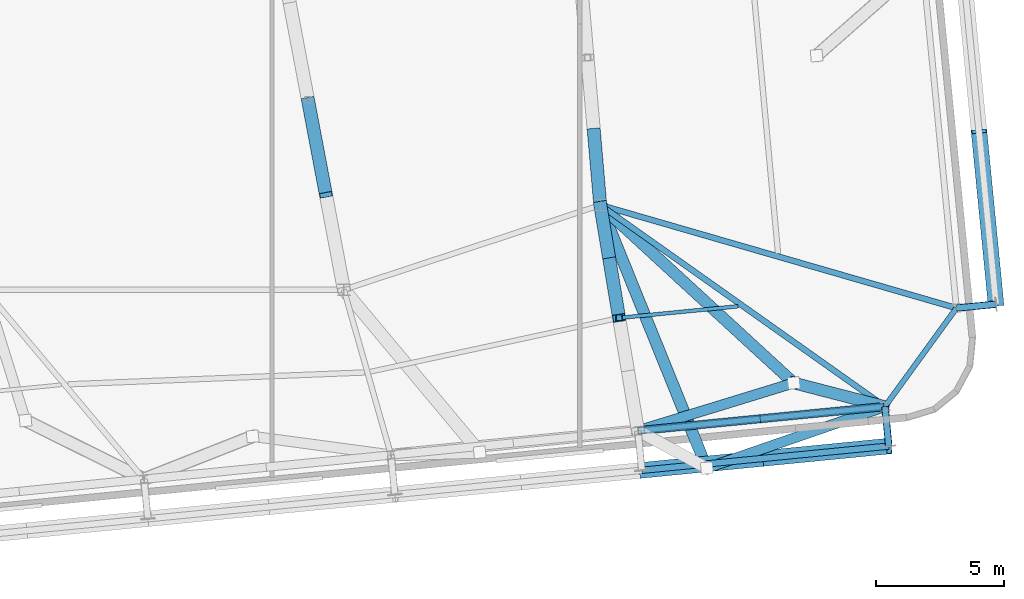
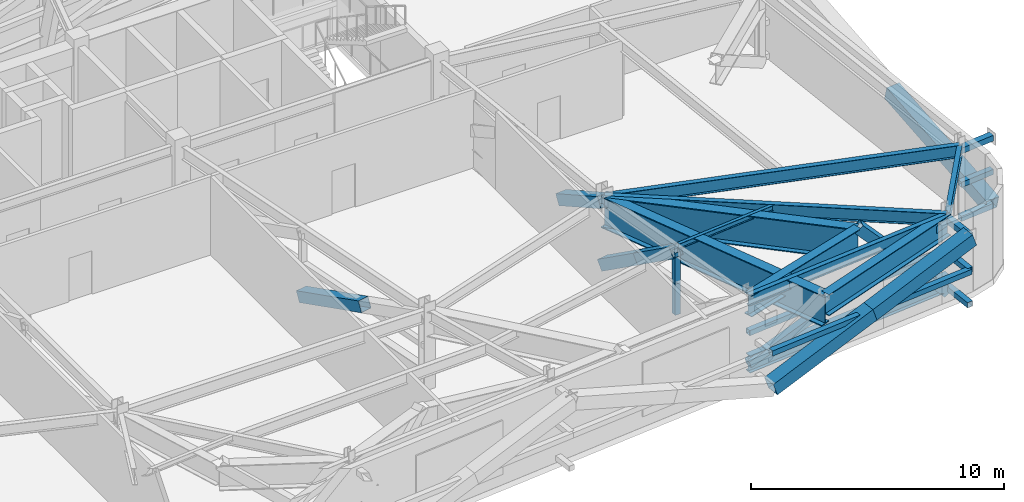
# One storey, part 9 of 24: 21 members, 9 beams.
"""IFC4 building model written with IfcOpenShell, lengths in metres."""

from ifc_helpers import new_model, si_unit, direction, frame, origin, origin_2d, place, context, subcontext, project, spatial, hollow_rectangle, i_section, extrude, source, transform, mapped, material, material_profile, profile_set, type_object, element, save


model = new_model("IFC4")

# Units and contexts
model_context = context("Model", 3, precision=1e-05, world=origin(), true_north=direction((0.0, 1.0)))
body_context = subcontext(model_context, "Body", "Model", "MODEL_VIEW")
ifc_project = project(units=[si_unit("LENGTHUNIT", "METRE"), si_unit("AREAUNIT", "SQUARE_METRE"), si_unit("VOLUMEUNIT", "CUBIC_METRE"), si_unit("PLANEANGLEUNIT", "RADIAN"), si_unit("MASSUNIT", "GRAM", prefix="KILO")], contexts=[model_context])

# Site, building, storey
site_placement = place(None, origin())
site = spatial("IfcSite", under=ifc_project, at=site_placement, CompositionType="ELEMENT")
building_placement = place(site_placement, origin())
building = spatial("IfcBuilding", under=site, at=building_placement, Name="Taldren Reach Tower", CompositionType="ELEMENT")
storey_placement = place(building_placement, frame((0.0, 0.0, 112.35009765625)))
storey = spatial("IfcBuildingStorey", under=building, at=storey_placement, Name="L34", CompositionType="ELEMENT", Elevation=112.35009765625)

# Beam
ifc_material_1 = material(Name="Steel Gr 350 (350PLUS)", Category="steel")
ifc_material_profile_1 = material_profile(ifc_material_1, i_section(OverallWidth=0.208984375, OverallDepth=0.528076171875, WebThickness=0.009521484375, FlangeThickness=0.01318359375, at=origin_2d()), Name="530UB82.0")
ifc_profile_set_1 = profile_set([ifc_material_profile_1], Name="Steel Gr 350 (350PLUS)")
beam_type_1 = type_object("IfcBeamType", Name="SP-UB530B", PredefinedType="SPANDREL", material=ifc_profile_set_1)
shared_shape_1 = source(origin(), body_context, "Body", "SweptSolid", [
    extrude(i_section(OverallWidth=0.208984375, OverallDepth=0.528076171875, WebThickness=0.009521484375, FlangeThickness=0.01318359375, at=origin_2d()), origin(), (0.0, 0.0, 1.0), 4.74609375),
])
beam_1_placement = place(storey_placement, frame((63.103271484375, 4.64306640625, 3.515869140625), z_axis=(0.58750777154, 0.809218523255, 0.0), x_axis=(-0.809218523255, 0.58750777154, 0.0)))
element("IfcBeam", 1, at=beam_1_placement, inside=storey, type_object=beam_type_1, Name="Perimeter spandrel B2 S6-E1 L34", PredefinedType="SPANDREL", context=body_context, shape_type="MappedRepresentation", body=[
    mapped(shared_shape_1, transform((0.0, 0.0, 0.0), scale=1.0)),
])

# Members
ifc_material_2 = material(Name="Steel Gr 450 (C450L0)", Category="steel")
ifc_material_profile_2 = material_profile(ifc_material_2, hollow_rectangle(XDim=0.27490234375, YDim=0.27490234375, WallThickness=0.00927734375, at=origin_2d()), Name="275x275x9.3SHS")
ifc_profile_set_2 = profile_set([ifc_material_profile_2], Name="Steel Gr 450 (C450L0)")
member_type_1 = type_object("IfcMemberType", Name="MB-TIE273", PredefinedType="STRUT", material=ifc_profile_set_2)
shared_shape_2 = source(origin(), body_context, "Body", "SweptSolid", [
    extrude(hollow_rectangle(XDim=0.27490234375, YDim=0.27490234375, WallThickness=0.00927734375, at=origin_2d()), origin(), (0.0, 0.0, 1.0), 1.5498046875),
])
member_1_placement = place(storey_placement, frame((63.103271484375, 4.64306640625, 3.5), z_axis=(0.097507178627, -0.995234821595, 0.0), x_axis=(0.995234821595, 0.097507178627, 0.0)))
element("IfcMember", 2, at=member_1_placement, inside=storey, type_object=member_type_1, Name="Exoskeleton diaphragm tie strut B2-S6 L34", PredefinedType="STRUT", context=body_context, shape_type="MappedRepresentation", body=[
    mapped(shared_shape_2, transform((0.0, 0.0, 0.0), scale=1.0)),
])
ifc_material_3 = material(Name="Steel Gr 350 (C350L0)", Category="steel")
ifc_material_profile_3 = material_profile(ifc_material_3, hollow_rectangle(XDim=0.25, YDim=0.25, WallThickness=0.010009765625, at=origin_2d()), Name="250x250x10.0SHS")
ifc_profile_set_3 = profile_set([ifc_material_profile_3], Name="Steel Gr 350 (C350L0)")
member_type_2 = type_object("IfcMemberType", Name="MB-POST250", PredefinedType="POST", material=ifc_profile_set_3)
shared_shape_3 = source(origin(), body_context, "Body", "SweptSolid", [
    extrude(hollow_rectangle(XDim=0.25, YDim=0.25, WallThickness=0.010009765625, at=origin_2d()), origin(), (0.0, 0.0, 1.0), 1.5498046875),
])
for number, where, z_axis, x_axis, name in (
    (3, (63.103271484375, 4.64306640625, 0.219970703125), (0.097507178627, -0.995234821595, 0.0), (0.995234821595, 0.097507178627, 0.0), "Exoskeleton base diaphragm tie strut B2-S6 L34"),
    (4, (63.103271484375, 4.64306640625, 1.85986328125), (0.097507178627, -0.995234821595, 0.0), (0.995234821595, 0.097507178627, 0.0), "Exoskeleton mid-tier diaphragm tie B2-S6 L34"),
):
    element("IfcMember", number, at=place(storey_placement, frame(where, z_axis=z_axis, x_axis=x_axis)), inside=storey, type_object=member_type_2, Name=name, PredefinedType="POST", context=body_context, shape_type="MappedRepresentation", body=[
        mapped(shared_shape_3, transform((0.0, 0.0, 0.0), scale=1.0)),
    ])
shared_shape_4 = source(origin(), body_context, "Body", "SweptSolid", [
    extrude(hollow_rectangle(XDim=0.25, YDim=0.25, WallThickness=0.010009765625, at=origin_2d()), origin(), (0.0, 0.0, 1.0), 1.5048828125),
])
member_2_placement = place(storey_placement, frame((52.734619140625, 8.099365234375, 0.449951171875), z_axis=(0.0, 0.0, 1.0), x_axis=(1.0, 0.0, 0.0)))
element("IfcMember", 5, at=member_2_placement, inside=storey, type_object=member_type_2, Name="Outrigger Transfer Truss Vertical Post OT-E2 L34", PredefinedType="POST", context=body_context, shape_type="MappedRepresentation", body=[
    mapped(shared_shape_4, transform((0.0, 0.0, 0.0), scale=1.0)),
])
shared_shape_5 = source(origin(), body_context, "Body", "SweptSolid", [
    extrude(hollow_rectangle(XDim=0.25, YDim=0.25, WallThickness=0.010009765625, at=origin_2d()), origin(), (0.0, 0.0, 1.0), 1.505126953125),
])
member_3_placement = place(storey_placement, frame((52.734619140625, 8.099365234375, 1.954833984375), z_axis=(0.0, 0.0, 1.0), x_axis=(1.0, 0.0, 0.0)))
element("IfcMember", 6, at=member_3_placement, inside=storey, type_object=member_type_2, Name="Outrigger Transfer Truss Vertical Post OT-E2 L34", PredefinedType="POST", context=body_context, shape_type="MappedRepresentation", body=[
    mapped(shared_shape_5, transform((0.0, 0.0, 0.0), scale=1.0)),
])
ifc_material_profile_4 = material_profile(ifc_material_2, hollow_rectangle(XDim=0.510009765625, YDim=0.510009765625, WallThickness=0.02001953125, at=origin_2d()), Name="510x510x20.0SHS")
ifc_profile_set_4 = profile_set([ifc_material_profile_4], Name="Steel Gr 450 (C450L0)")
member_type_3 = type_object("IfcMemberType", Name="MB-EXO508", PredefinedType="BRACE", material=ifc_profile_set_4)
shared_shape_6 = source(origin(), body_context, "Body", "SweptSolid", [
    extrude(hollow_rectangle(XDim=0.510009765625, YDim=0.510009765625, WallThickness=0.02001953125, at=origin_2d()), origin(), (0.0, 0.0, 1.0), 3.2548828125),
])
member_4_placement = place(storey_placement, frame((51.75, 15.375, 1.954833984375), z_axis=(0.076810327051, -0.883318761082, 0.462437174089), x_axis=(0.996240588196, 0.086629616365, 0.0)))
element("IfcMember", 7, at=member_4_placement, inside=storey, type_object=member_type_3, Name="Outrigger Transfer Truss Diagonal OT-E1B L34", PredefinedType="BRACE", context=body_context, shape_type="MappedRepresentation", body=[
    mapped(shared_shape_6, transform((0.0, 0.0, 0.0), scale=1.0)),
])
shared_shape_7 = source(origin(), body_context, "Body", "SweptSolid", [
    extrude(hollow_rectangle(XDim=0.510009765625, YDim=0.510009765625, WallThickness=0.02001953125, at=origin_2d()), origin(), (0.0, 0.0, 1.0), 4.055419921875),
])
member_5_placement = place(storey_placement, frame((40.60009765625, 16.60009765625, 0.449951171875), z_axis=(0.172598473912, -0.912418022537, 0.371083708823), x_axis=(0.982574405956, 0.185869676819, 0.0)))
element("IfcMember", 8, at=member_5_placement, inside=storey, type_object=member_type_3, Name="Outrigger Transfer Truss Diagonal OT-M2B L34", PredefinedType="BRACE", context=body_context, shape_type="MappedRepresentation", body=[
    mapped(shared_shape_7, transform((0.0, 0.0, 0.0), scale=1.0)),
])

# Beams
shared_shape_8 = source(origin(), body_context, "Body", "SweptSolid", [
    extrude(i_section(OverallWidth=0.208984375, OverallDepth=0.528076171875, WebThickness=0.009521484375, FlangeThickness=0.01318359375, at=origin_2d()), origin(), (0.0, 0.0, 1.0), 9.679931640625),
])
beam_2_placement = place(storey_placement, frame((53.469482421875, 3.698486328125, 3.515869140625), z_axis=(0.995227612658, 0.097580730699, 0.0), x_axis=(-0.097580730699, 0.995227612658, 0.0)))
element("IfcBeam", 9, at=beam_2_placement, inside=storey, type_object=beam_type_1, Name="Perimeter spandrel B2 S5-S6 L34", PredefinedType="SPANDREL", context=body_context, shape_type="MappedRepresentation", body=[
    mapped(shared_shape_8, transform((0.0, 0.0, 0.0), scale=1.0)),
])
ifc_material_profile_5 = material_profile(ifc_material_1, i_section(OverallWidth=0.22802734375, OverallDepth=0.60205078125, WebThickness=0.010498046875, FlangeThickness=0.014892578125, at=origin_2d()), Name="610UB101")
ifc_profile_set_5 = profile_set([ifc_material_profile_5], Name="Steel Gr 350 (350PLUS)")
beam_type_2 = type_object("IfcBeamType", Name="BM-UB610B", PredefinedType="BEAM", material=ifc_profile_set_5)
shared_shape_9 = source(origin(), body_context, "Body", "SweptSolid", [
    extrude(i_section(OverallWidth=0.22802734375, OverallDepth=0.60205078125, WebThickness=0.010498046875, FlangeThickness=0.014892578125, at=origin_2d()), origin(), (0.0, 0.0, 1.0), 13.60205078125),
])
beam_3_placement = place(storey_placement, frame((52.0, 12.5, 3.47900390625), z_axis=(0.816297773281, -0.577631323022, 0.0), x_axis=(0.577631323022, 0.816297773281, 0.0)))
element("IfcBeam", 10, at=beam_3_placement, inside=storey, type_object=beam_type_2, Name="Primary floor girder B2-S6 L34", PredefinedType="BEAM", context=body_context, shape_type="MappedRepresentation", body=[
    mapped(shared_shape_9, transform((0.0, 0.0, 0.0), scale=1.0)),
])
shared_shape_10 = source(origin(), body_context, "Body", "SweptSolid", [
    extrude(i_section(OverallWidth=0.22802734375, OverallDepth=0.60205078125, WebThickness=0.010498046875, FlangeThickness=0.014892578125, at=origin_2d()), origin(), (0.0, 0.0, 1.0), 14.46044921875),
])
beam_4_placement = place(storey_placement, frame((52.0, 12.5, 3.47900390625), z_axis=(0.960654638583, -0.277745684698, 0.0), x_axis=(0.277745684698, 0.960654638583, 0.0)))
element("IfcBeam", 11, at=beam_4_placement, inside=storey, type_object=beam_type_2, Name="Primary floor girder B2-E1 L34", PredefinedType="BEAM", context=body_context, shape_type="MappedRepresentation", body=[
    mapped(shared_shape_10, transform((0.0, 0.0, 0.0), scale=1.0)),
])
ifc_material_4 = material(Name="Steel Gr 300 (300PLUS, 300 MPa)", Category="steel")
ifc_material_profile_6 = material_profile(ifc_material_4, i_section(OverallWidth=0.14599609375, OverallDepth=0.256103515625, WebThickness=0.00634765625, FlangeThickness=0.010986328125, at=origin_2d()), Name="250UB37.3")
ifc_profile_set_6 = profile_set([ifc_material_profile_6], Name="Steel Gr 300 (300PLUS, 300 MPa)")
beam_type_3 = type_object("IfcBeamType", Name="JS-UB250", PredefinedType="JOIST", material=ifc_profile_set_6)
shared_shape_11 = source(origin(), body_context, "Body", "SweptSolid", [
    extrude(i_section(OverallWidth=0.14599609375, OverallDepth=0.256103515625, WebThickness=0.00634765625, FlangeThickness=0.010986328125, at=origin_2d()), origin(), (0.0, 0.0, 1.0), 4.56103515625),
])
beam_5_placement = place(storey_placement, frame((52.8388671875, 8.109375, 3.65185546875), z_axis=(0.995227709746, 0.097579740487, 0.0), x_axis=(-0.097579740487, 0.995227709746, 0.0)))
element("IfcBeam", 12, at=beam_5_placement, inside=storey, type_object=beam_type_3, Name="Secondary floor joist B2 J5 L34", PredefinedType="JOIST", context=body_context, shape_type="MappedRepresentation", body=[
    mapped(shared_shape_11, transform((0.0, 0.0, 0.0), scale=1.0)),
])

# Members
shared_shape_12 = source(origin(), body_context, "Body", "SweptSolid", [
    extrude(hollow_rectangle(XDim=0.27490234375, YDim=0.27490234375, WallThickness=0.00927734375, at=origin_2d()), origin(), (0.0, 0.0, 1.0), 1.550048828125),
])
member_6_placement = place(storey_placement, frame((65.8916015625, 8.483642578125, 3.5), z_axis=(0.995236318924, 0.097491894511, 0.0), x_axis=(-0.097491894511, 0.995236318924, 0.0)))
element("IfcMember", 13, at=member_6_placement, inside=storey, type_object=member_type_1, Name="Exoskeleton diaphragm tie strut B2-E1 L34", PredefinedType="STRUT", context=body_context, shape_type="MappedRepresentation", body=[
    mapped(shared_shape_12, transform((0.0, 0.0, 0.0), scale=1.0)),
])
shared_shape_13 = source(origin(), body_context, "Body", "SweptSolid", [
    extrude(hollow_rectangle(XDim=0.25, YDim=0.25, WallThickness=0.010009765625, at=origin_2d()), origin(), (0.0, 0.0, 1.0), 9.679931640625),
])
for number, where, z_axis, x_axis, name in (
    (14, (53.469482421875, 3.698486328125, 1.954833984375), (0.995227612658, 0.097580730699, 0.0), (-0.097580730699, 0.995227612658, 0.0), "Belt Truss Transfer Mid Chord S5 L34"),
    (15, (53.62060546875, 2.156005859375, 1.85986328125), (0.995227612658, 0.097580730699, 0.0), (-0.097580730699, 0.995227612658, 0.0), "Exoskeleton mid-height ring chord B2-S5 L34"),
):
    element("IfcMember", number, at=place(storey_placement, frame(where, z_axis=z_axis, x_axis=x_axis)), inside=storey, type_object=member_type_2, Name=name, PredefinedType="POST", context=body_context, shape_type="MappedRepresentation", body=[
        mapped(shared_shape_13, transform((0.0, 0.0, 0.0), scale=1.0)),
    ])
shared_shape_14 = source(origin(), body_context, "Body", "SweptSolid", [
    extrude(hollow_rectangle(XDim=0.25, YDim=0.25, WallThickness=0.010009765625, at=origin_2d()), origin(), (0.0, 0.0, 1.0), 1.550048828125),
])
for number, where, z_axis, x_axis, name in (
    (16, (65.8916015625, 8.483642578125, 0.219970703125), (0.995236318924, 0.097491894511, 0.0), (-0.097491894511, 0.995236318924, 0.0), "Exoskeleton base diaphragm tie strut B2-E1 L34"),
    (17, (65.8916015625, 8.483642578125, 1.85986328125), (0.995236318924, 0.097491894511, 0.0), (-0.097491894511, 0.995236318924, 0.0), "Exoskeleton mid-tier diaphragm tie B2-E1 L34"),
):
    element("IfcMember", number, at=place(storey_placement, frame(where, z_axis=z_axis, x_axis=x_axis)), inside=storey, type_object=member_type_2, Name=name, PredefinedType="POST", context=body_context, shape_type="MappedRepresentation", body=[
        mapped(shared_shape_14, transform((0.0, 0.0, 0.0), scale=1.0)),
    ])

# Beams
ifc_material_profile_7 = material_profile(ifc_material_1, i_section(OverallWidth=0.449951171875, OverallDepth=1.5, WebThickness=0.02001953125, FlangeThickness=0.0439453125, at=origin_2d()), Name="1500WB550")
ifc_profile_set_7 = profile_set([ifc_material_profile_7], Name="Steel Gr 350 (350PLUS)")
beam_type_4 = type_object("IfcBeamType", Name="BM-PG1500", PredefinedType="BEAM", material=ifc_profile_set_7)
shared_shape_15 = source(origin(), body_context, "Body", "SweptSolid", [
    extrude(i_section(OverallWidth=0.449951171875, OverallDepth=1.5, WebThickness=0.02001953125, FlangeThickness=0.0439453125, at=origin_2d()), origin(), (0.0, 0.0, 1.0), 11.068359375),
])
beam_6_placement = place(storey_placement, frame((52.0, 12.5, 3.02978515625), z_axis=(0.375437319636, -0.92684778633, 0.0), x_axis=(0.92684778633, 0.375437319636, 0.0)))
element("IfcBeam", 18, at=beam_6_placement, inside=storey, type_object=beam_type_4, Name="Belt Truss Transfer Girder TG-B3-S6A on L34", PredefinedType="BEAM", context=body_context, shape_type="MappedRepresentation", body=[
    mapped(shared_shape_15, transform((0.0, 0.0, 0.0), scale=1.0)),
])
ifc_material_profile_8 = material_profile(ifc_material_1, i_section(OverallWidth=0.39990234375, OverallDepth=1.02392578125, WebThickness=0.01611328125, FlangeThickness=0.031982421875, at=origin_2d()), Name="1000WB322")
ifc_profile_set_8 = profile_set([ifc_material_profile_8], Name="Steel Gr 350 (350PLUS)")
beam_type_5 = type_object("IfcBeamType", Name="BM-WB1000", PredefinedType="BEAM", material=ifc_profile_set_8)
shared_shape_16 = source(origin(), body_context, "Body", "SweptSolid", [
    extrude(i_section(OverallWidth=0.39990234375, OverallDepth=1.02392578125, WebThickness=0.01611328125, FlangeThickness=0.031982421875, at=origin_2d()), origin(), (0.0, 0.0, 1.0), 7.351318359375),
])
beam_7_placement = place(storey_placement, frame((63.103271484375, 4.64306640625, 3.267822265625), z_axis=(-0.945117875354, -0.326729554351, 0.0), x_axis=(0.326729554351, -0.945117875354, 0.0)))
element("IfcBeam", 19, at=beam_7_placement, inside=storey, type_object=beam_type_5, Name="Belt Truss Transfer Tie Girder TG-B3-S6B on L34", PredefinedType="BEAM", context=body_context, shape_type="MappedRepresentation", body=[
    mapped(shared_shape_16, transform((0.0, 0.0, 0.0), scale=1.0)),
])

# Member
ifc_material_profile_9 = material_profile(ifc_material_2, hollow_rectangle(XDim=0.4599609375, YDim=0.4599609375, WallThickness=0.01611328125, at=origin_2d()), Name="460x460x16.0SHS")
ifc_profile_set_9 = profile_set([ifc_material_profile_9], Name="Steel Gr 450 (C450L0)")
member_type_4 = type_object("IfcMemberType", Name="MB-EXO457", PredefinedType="BRACE", material=ifc_profile_set_9)
shared_shape_17 = source(origin(), body_context, "Body", "SweptSolid", [
    extrude(hollow_rectangle(XDim=0.4599609375, YDim=0.4599609375, WallThickness=0.01611328125, at=origin_2d()), origin(), (0.0, 0.0, 1.0), 5.25732421875),
])
member_7_placement = place(storey_placement, frame((63.103271484375, 4.64306640625, 0.02001953125), z_axis=(-0.67673684974, 0.174930879913, 0.715140841693), x_axis=(-0.250265792915, -0.9681771702, 0.0)))
element("IfcMember", 20, at=member_7_placement, inside=storey, type_object=member_type_4, Name="Outrigger Belt Truss Transfer Strut TS-B3-E1 L34", PredefinedType="BRACE", context=body_context, shape_type="MappedRepresentation", body=[
    mapped(shared_shape_17, transform((0.0, 0.0, 0.0), scale=1.0)),
])

# Beams
shared_shape_18 = source(origin(), body_context, "Body", "SweptSolid", [
    extrude(i_section(OverallWidth=0.449951171875, OverallDepth=1.5, WebThickness=0.02001953125, FlangeThickness=0.0439453125, at=origin_2d()), origin(), (0.0, 0.0, 1.0), 10.249755859375),
])
beam_8_placement = place(storey_placement, frame((52.0, 12.5, 3.02978515625), z_axis=(0.736150772628, -0.676817582483, 0.0), x_axis=(0.676817582483, 0.736150772628, 0.0)))
element("IfcBeam", 21, at=beam_8_placement, inside=storey, type_object=beam_type_4, Name="Belt Truss Transfer Girder TG-B3-E1A on L34", PredefinedType="BEAM", context=body_context, shape_type="MappedRepresentation", body=[
    mapped(shared_shape_18, transform((0.0, 0.0, 0.0), scale=1.0)),
])
shared_shape_19 = source(origin(), body_context, "Body", "SweptSolid", [
    extrude(i_section(OverallWidth=0.39990234375, OverallDepth=1.02392578125, WebThickness=0.01611328125, FlangeThickness=0.031982421875, at=origin_2d()), origin(), (0.0, 0.0, 1.0), 6.35546875),
])
beam_9_placement = place(storey_placement, frame((53.469482421875, 3.698486328125, 3.267822265625), z_axis=(0.956011270804, 0.293329933855, 0.0), x_axis=(-0.293329933855, 0.956011270804, 0.0)))
element("IfcBeam", 22, at=beam_9_placement, inside=storey, type_object=beam_type_5, Name="Belt Truss Transfer Tie Girder TG-B3-E1B on L34", PredefinedType="BEAM", context=body_context, shape_type="MappedRepresentation", body=[
    mapped(shared_shape_19, transform((0.0, 0.0, 0.0), scale=1.0)),
])

# Members
shared_shape_20 = source(origin(), body_context, "Body", "SweptSolid", [
    extrude(hollow_rectangle(XDim=0.510009765625, YDim=0.510009765625, WallThickness=0.02001953125, at=origin_2d()), origin(), (0.0, 0.0, 1.0), 2.69091796875),
])
for number, where, z_axis, x_axis, name in (
    (23, (52.0, 12.5, 0.449951171875), (0.13653969352, -0.817695852291, 0.559223037115), (0.986343596448, 0.164700667109, 0.0), "Outrigger Transfer Truss Diagonal OT-E2A L34"),
    (24, (52.367431640625, 10.299560546875, 1.954833984375), (0.136453857989, -0.817634420346, 0.559333799538), (0.986358403721, 0.164611966178, 0.0), "Outrigger Transfer Truss Diagonal OT-E2A L34"),
):
    element("IfcMember", number, at=place(storey_placement, frame(where, z_axis=z_axis, x_axis=x_axis)), inside=storey, type_object=member_type_3, Name=name, PredefinedType="BRACE", context=body_context, shape_type="MappedRepresentation", body=[
        mapped(shared_shape_20, transform((0.0, 0.0, 0.0), scale=1.0)),
    ])
ifc_material_profile_10 = material_profile(ifc_material_1, i_section(OverallWidth=0.300048828125, OverallDepth=0.81591796875, WebThickness=0.011962890625, FlangeThickness=0.02392578125, at=origin_2d()), Name="800WB192")
ifc_profile_set_10 = profile_set([ifc_material_profile_10], Name="Steel Gr 350 (350PLUS)")
member_type_5 = type_object("IfcMemberType", Name="MB-CH800", PredefinedType="CHORD", material=ifc_profile_set_10)
shared_shape_21 = source(origin(), body_context, "Body", "SweptSolid", [
    extrude(i_section(OverallWidth=0.300048828125, OverallDepth=0.81591796875, WebThickness=0.011962890625, FlangeThickness=0.02392578125, at=origin_2d()), origin(), (0.0, 0.0, 1.0), 9.679931640625),
])
member_8_placement = place(storey_placement, frame((53.469482421875, 3.698486328125, 0.449951171875), z_axis=(0.995227612658, 0.097580730699, 0.0), x_axis=(-0.097580730699, 0.995227612658, 0.0)))
element("IfcMember", 25, at=member_8_placement, inside=storey, type_object=member_type_5, Name="Belt Truss Transfer Bottom Chord S5 L34", PredefinedType="CHORD", context=body_context, shape_type="MappedRepresentation", body=[
    mapped(shared_shape_21, transform((0.0, 0.0, 0.0), scale=1.0)),
])
ifc_material_profile_11 = material_profile(ifc_material_2, hollow_rectangle(XDim=0.324951171875, YDim=0.324951171875, WallThickness=0.0126953125, at=origin_2d()), Name="325x325x12.7SHS")
ifc_profile_set_11 = profile_set([ifc_material_profile_11], Name="Steel Gr 450 (C450L0)")
member_type_6 = type_object("IfcMemberType", Name="MB-BR324", PredefinedType="BRACE", material=ifc_profile_set_11)
shared_shape_22 = source(origin(), body_context, "Body", "SweptSolid", [
    extrude(hollow_rectangle(XDim=0.324951171875, YDim=0.324951171875, WallThickness=0.0126953125, at=origin_2d()), origin(), (0.0, 0.0, 1.0), 5.068603515625),
])
for number, where, z_axis, x_axis, name in (
    (26, (53.469482421875, 3.698486328125, 0.449951171875), (0.950347406391, 0.093204370571, 0.296905292093), (-0.097605711627, 0.995225162995, 0.0), "Belt Truss Transfer Diagonal S5 L34"),
    (27, (58.286376953125, 4.1708984375, 1.954833984375), (0.950338079713, 0.093155288706, 0.296950545435), (-0.097555749586, 0.995230061706, 0.0), "Belt Truss Transfer Diagonal S5 L34"),
):
    element("IfcMember", number, at=place(storey_placement, frame(where, z_axis=z_axis, x_axis=x_axis)), inside=storey, type_object=member_type_6, Name=name, PredefinedType="BRACE", context=body_context, shape_type="MappedRepresentation", body=[
        mapped(shared_shape_22, transform((0.0, 0.0, 0.0), scale=1.0)),
    ])
ifc_material_profile_12 = material_profile(ifc_material_2, hollow_rectangle(XDim=0.614990234375, YDim=0.614990234375, WallThickness=0.02490234375, at=origin_2d()), Name="615x615x25.0SHS")
ifc_profile_set_12 = profile_set([ifc_material_profile_12], Name="Steel Gr 450 (C450L0)")
member_type_7 = type_object("IfcMemberType", Name="MB-EXO610", PredefinedType="BRACE", material=ifc_profile_set_12)
shared_shape_23 = source(origin(), body_context, "Body", "SweptSolid", [
    extrude(hollow_rectangle(XDim=0.614990234375, YDim=0.614990234375, WallThickness=0.02490234375, at=origin_2d()), origin(), (0.0, 0.0, 1.0), 5.1103515625),
])
for number, where, z_axis, x_axis, name in (
    (28, (53.62060546875, 2.156005859375, 0.219970703125), (0.942594546699, 0.092396241932, 0.320902563111), (-0.097555749586, 0.995230061706, 0.0), "Exoskeleton Diagrid Brace B2-S5 L34"),
    (29, (58.4375, 2.628173828125, 1.85986328125), (0.942575933361, 0.092442191133, 0.320944000016), (-0.097605711627, 0.995225162995, 0.0), "Exoskeleton Diagrid Brace B2-S5 L34"),
):
    element("IfcMember", number, at=place(storey_placement, frame(where, z_axis=z_axis, x_axis=x_axis)), inside=storey, type_object=member_type_7, Name=name, PredefinedType="BRACE", context=body_context, shape_type="MappedRepresentation", body=[
        mapped(shared_shape_23, transform((0.0, 0.0, 0.0), scale=1.0)),
    ])
shared_shape_24 = source(origin(), body_context, "Body", "SweptSolid", [
    extrude(hollow_rectangle(XDim=0.614990234375, YDim=0.614990234375, WallThickness=0.02490234375, at=origin_2d()), origin(), (0.0, 0.0, 1.0), 6.970703125),
])
member_9_placement = place(storey_placement, frame((67.434326171875, 8.634765625, 0.219970703125), z_axis=(-0.094845158987, 0.967294535045, 0.235256622199), x_axis=(-0.995227290009, -0.097584021339, 0.0)))
element("IfcMember", 30, at=member_9_placement, inside=storey, type_object=member_type_7, Name="Exoskeleton Diagrid Brace B2-E1 L34", PredefinedType="BRACE", context=body_context, shape_type="MappedRepresentation", body=[
    mapped(shared_shape_24, transform((0.0, 0.0, 0.0), scale=1.0)),
])

save(model, "model.ifc")
